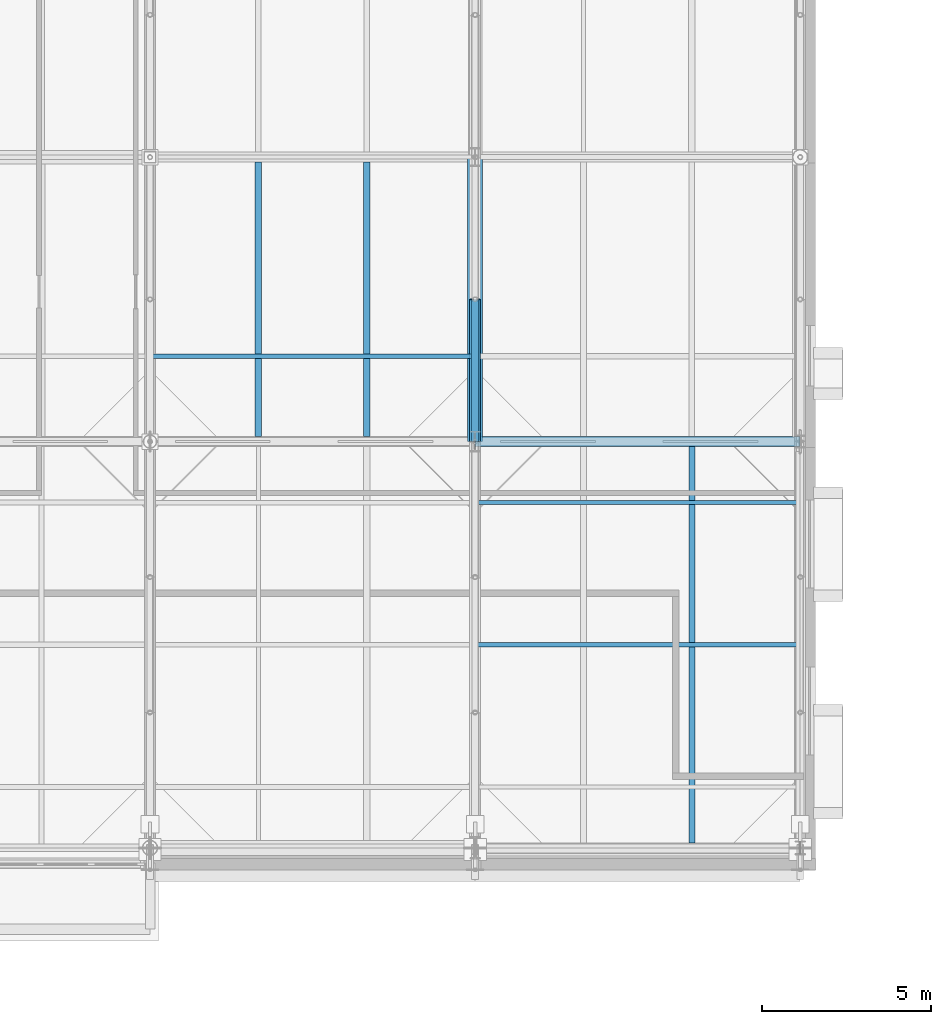
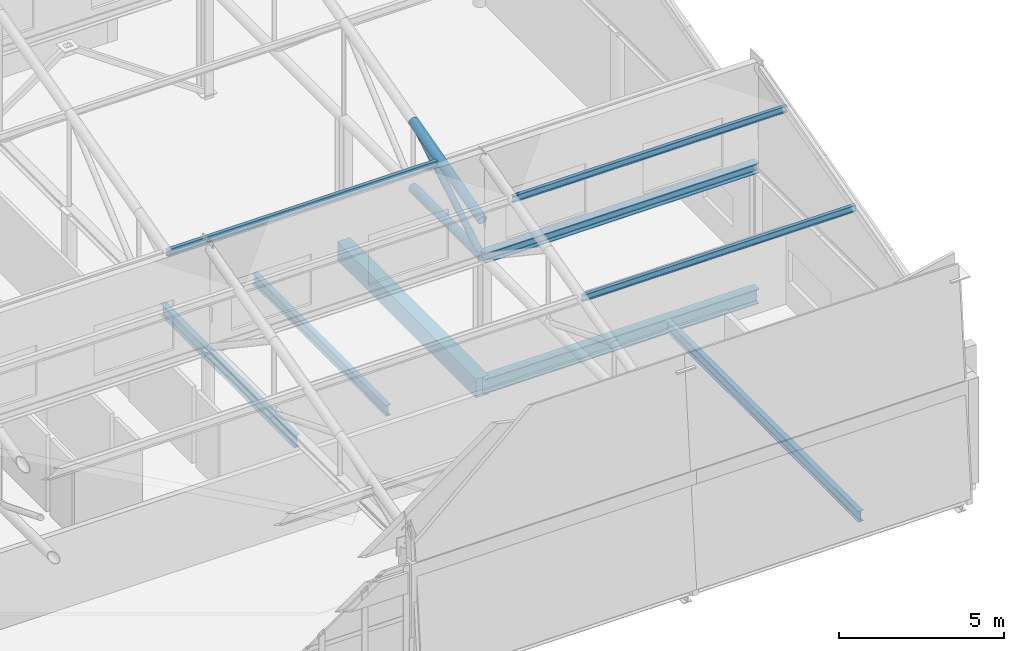
# One storey, part 47 of 89: 6 beams, 6 members.
"""IFC4 building model written with IfcOpenShell, lengths in metres."""

from ifc_helpers import new_model, si_unit, direction, frame, origin, origin_2d, place, context, subcontext, project, spatial, rectangle, hollow_circle, i_section, extrude, material, material_profile, profile_set, type_object, element, save


model = new_model("IFC4")

# Units and contexts
model_context = context("Model", 3, precision=1e-05, world=origin(), true_north=direction((0.0, 1.0)))
body_context = subcontext(model_context, "Body", "Model", "MODEL_VIEW")
ifc_project = project(units=[si_unit("LENGTHUNIT", "METRE"), si_unit("AREAUNIT", "SQUARE_METRE"), si_unit("VOLUMEUNIT", "CUBIC_METRE"), si_unit("PLANEANGLEUNIT", "RADIAN"), si_unit("MASSUNIT", "GRAM", prefix="KILO")], contexts=[model_context])

# Site, building, storey
site_placement = place(None, origin())
site = spatial("IfcSite", under=ifc_project, at=site_placement, CompositionType="ELEMENT")
building_placement = place(site_placement, origin())
building = spatial("IfcBuilding", under=site, at=building_placement, Name="Zereglee Splitstone Museum", CompositionType="ELEMENT")
storey_placement = place(building_placement, frame((0.0, 0.0, 21.300048828125)))
storey = spatial("IfcBuildingStorey", under=building, at=storey_placement, Name="L04", CompositionType="ELEMENT", Elevation=21.300048828125)

# Beam
ifc_material_1 = material(Name="Concrete C40/50", Category="concrete")
ifc_material_profile_1 = material_profile(ifc_material_1, rectangle(XDim=0.449951171875, YDim=0.699951171875, at=origin_2d()), Name="RC 450x700")
ifc_profile_set_1 = profile_set([ifc_material_profile_1], Name="Concrete C40/50")
beam_type_1 = type_object("IfcBeamType", Name="BG-03", PredefinedType="BEAM", material=ifc_profile_set_1)
beam_1_placement = place(storey_placement, frame((135.60009765625, 21.60009765625, -0.610107421875), z_axis=(0.0, 1.0, 0.0), x_axis=(-1.0, 0.0, 0.0)))
element("IfcBeam", 1, at=beam_1_placement, inside=storey, type_object=beam_type_1, Name="Primary Girder L04 16 (21.6-30.0)", PredefinedType="BEAM", context=body_context, shape_type="SweptSolid", body=[
    extrude(rectangle(XDim=0.449951171875, YDim=0.699951171875, at=origin_2d()), origin(), (0.0, 0.0, 1.0), 8.39990234375),
])

# Members
ifc_material_2 = material(Name="Steel S355J2H", Category="steel")
ifc_material_profile_2 = material_profile(ifc_material_2, hollow_circle(Radius=0.109619140625, WallThickness=0.010009765625, at=origin_2d()), Name="CHS 219.1x10")
ifc_profile_set_2 = profile_set([ifc_material_profile_2], Name="Steel S355J2H")
member_type_1 = type_object("IfcMemberType", Name="TB-03", PredefinedType="BRACE", material=ifc_profile_set_2)
member_1_placement = place(storey_placement, frame((135.60009765625, 21.60009765625, 4.199951171875), z_axis=(0.0, 0.861527117747, 0.50771155727), x_axis=(-1.0, 0.0, 0.0)))
element("IfcMember", 2, at=member_1_placement, inside=storey, type_object=member_type_1, Name="Roof Truss ST-07 Diagonal 2.1", PredefinedType="BRACE", context=body_context, shape_type="SweptSolid", body=[
    extrude(hollow_circle(Radius=0.109619140625, WallThickness=0.010009765625, at=origin_2d()), origin(), (0.0, 0.0, 1.0), 4.875),
])
ifc_material_profile_3 = material_profile(ifc_material_2, hollow_circle(Radius=0.161865234375, WallThickness=0.01611328125, at=origin_2d()), Name="CHS 323.9x16")
ifc_profile_set_3 = profile_set([ifc_material_profile_3], Name="Steel S355J2H")
member_type_2 = type_object("IfcMemberType", Name="TC-05", PredefinedType="CHORD", material=ifc_profile_set_3)
member_2_placement = place(storey_placement, frame((135.60009765625, 21.60009765625, 4.199951171875), z_axis=(0.0, 1.0, 0.0), x_axis=(-1.0, 0.0, 0.0)))
element("IfcMember", 3, at=member_2_placement, inside=storey, type_object=member_type_2, Name="Roof Truss ST-07 Bottom Chord 2.1", PredefinedType="CHORD", context=body_context, shape_type="SweptSolid", body=[
    extrude(hollow_circle(Radius=0.161865234375, WallThickness=0.01611328125, at=origin_2d()), origin(), (0.0, 0.0, 1.0), 4.199951171875),
])
member_3_placement = place(storey_placement, frame((135.60009765625, 21.60009765625, 5.550048828125), z_axis=(0.0, 0.965947299715, 0.258738891884), x_axis=(-1.0, 0.0, 0.0)))
element("IfcMember", 4, at=member_3_placement, inside=storey, type_object=member_type_2, Name="Roof Truss ST-07 Top Chord 2.1", PredefinedType="CHORD", context=body_context, shape_type="SweptSolid", body=[
    extrude(hollow_circle(Radius=0.161865234375, WallThickness=0.01611328125, at=origin_2d()), origin(), (0.0, 0.0, 1.0), 4.347900390625),
])

# Beams
ifc_material_3 = material(Name="Steel S355J2", Category="steel")
ifc_material_profile_4 = material_profile(ifc_material_3, i_section(OverallWidth=0.300048828125, OverallDepth=0.360107421875, WebThickness=0.012451171875, FlangeThickness=0.0224609375, FilletRadius=0.027099609375, at=origin_2d()), Name="HE 360 B")
ifc_profile_set_4 = profile_set([ifc_material_profile_4], Name="Steel S355J2")
beam_type_2 = type_object("IfcBeamType", Name="BG-14", PredefinedType="BEAM", material=ifc_profile_set_4)
beam_2_placement = place(storey_placement, frame((135.60009765625, 21.60009765625, 4.199951171875), z_axis=(1.0, 0.0, 0.0), x_axis=(0.0, 1.0, 0.0)))
element("IfcBeam", 5, at=beam_2_placement, inside=storey, type_object=beam_type_2, Name="Sawtooth Monitor Sill Beam B7-S1", PredefinedType="BEAM", context=body_context, shape_type="SweptSolid", body=[
    extrude(i_section(OverallWidth=0.300048828125, OverallDepth=0.360107421875, WebThickness=0.012451171875, FlangeThickness=0.0224609375, FilletRadius=0.027099609375, at=origin_2d()), origin(), (0.0, 0.0, 1.0), 9.599853515625),
])
ifc_material_profile_5 = material_profile(ifc_material_3, i_section(OverallWidth=0.300048828125, OverallDepth=0.550048828125, WebThickness=0.014892578125, FlangeThickness=0.029052734375, FilletRadius=0.027099609375, at=origin_2d()), Name="HE 550 B")
ifc_profile_set_5 = profile_set([ifc_material_profile_5], Name="Steel S355J2")
beam_type_3 = type_object("IfcBeamType", Name="BG-11", PredefinedType="BEAM", material=ifc_profile_set_5)
beam_3_placement = place(storey_placement, frame((135.60009765625, 21.60009765625, -0.53515625), z_axis=(1.0, 0.0, 0.0), x_axis=(0.0, 1.0, 0.0)))
element("IfcBeam", 6, at=beam_3_placement, inside=storey, type_object=beam_type_3, Name="Primary Girder L04 C (135.6-145.2)", PredefinedType="BEAM", context=body_context, shape_type="SweptSolid", body=[
    extrude(i_section(OverallWidth=0.300048828125, OverallDepth=0.550048828125, WebThickness=0.014892578125, FlangeThickness=0.029052734375, FilletRadius=0.027099609375, at=origin_2d()), origin(), (0.0, 0.0, 1.0), 9.599853515625),
])
ifc_material_profile_6 = material_profile(ifc_material_3, i_section(OverallWidth=0.179931640625, OverallDepth=0.39990234375, WebThickness=0.008544921875, FlangeThickness=0.013427734375, FilletRadius=0.02099609375, at=origin_2d()), Name="IPE 400")
ifc_profile_set_6 = profile_set([ifc_material_profile_6], Name="Steel S355J2")
beam_type_4 = type_object("IfcBeamType", Name="BJ-03", PredefinedType="JOIST", material=ifc_profile_set_6)
beam_4_placement = place(storey_placement, frame((142.0, 9.75, -0.4599609375), z_axis=(0.0, 1.0, 0.0), x_axis=(-1.0, 0.0, 0.0)))
element("IfcBeam", 7, at=beam_4_placement, inside=storey, type_object=beam_type_4, Name="Secondary Floor Joist L04-1521", PredefinedType="JOIST", context=body_context, shape_type="SweptSolid", body=[
    extrude(i_section(OverallWidth=0.179931640625, OverallDepth=0.39990234375, WebThickness=0.008544921875, FlangeThickness=0.013427734375, FilletRadius=0.02099609375, at=origin_2d()), origin(), (0.0, 0.0, 1.0), 11.699951171875),
])
beam_5_placement = place(storey_placement, frame((132.39990234375, 21.75, -0.4599609375), z_axis=(0.0, 1.0, 0.0), x_axis=(-1.0, 0.0, 0.0)))
element("IfcBeam", 8, at=beam_5_placement, inside=storey, type_object=beam_type_4, Name="Secondary Floor Joist L04-1535", PredefinedType="JOIST", context=body_context, shape_type="SweptSolid", body=[
    extrude(i_section(OverallWidth=0.179931640625, OverallDepth=0.39990234375, WebThickness=0.008544921875, FlangeThickness=0.013427734375, FilletRadius=0.02099609375, at=origin_2d()), origin(), (0.0, 0.0, 1.0), 8.10009765625),
])
ifc_material_profile_7 = material_profile(ifc_material_3, i_section(OverallWidth=0.18994140625, OverallDepth=0.449951171875, WebThickness=0.009521484375, FlangeThickness=0.0146484375, FilletRadius=0.02099609375, at=origin_2d()), Name="IPE 450")
ifc_profile_set_7 = profile_set([ifc_material_profile_7], Name="Steel S355J2")
beam_type_5 = type_object("IfcBeamType", Name="BJ-02", PredefinedType="JOIST", material=ifc_profile_set_7)
beam_6_placement = place(storey_placement, frame((129.199951171875, 21.75, -0.485107421875), z_axis=(0.0, 1.0, 0.0), x_axis=(-1.0, 0.0, 0.0)))
element("IfcBeam", 9, at=beam_6_placement, inside=storey, type_object=beam_type_5, Name="Secondary Floor Joist L04-1534", PredefinedType="JOIST", context=body_context, shape_type="SweptSolid", body=[
    extrude(i_section(OverallWidth=0.18994140625, OverallDepth=0.449951171875, WebThickness=0.009521484375, FlangeThickness=0.0146484375, FilletRadius=0.02099609375, at=origin_2d()), origin(), (0.0, 0.0, 1.0), 8.10009765625),
])

# Members
ifc_material_profile_8 = material_profile(ifc_material_3, i_section(OverallWidth=0.1201171875, OverallDepth=0.239990234375, WebThickness=0.006103515625, FlangeThickness=0.009765625, FilletRadius=0.014892578125, at=origin_2d()), Name="IPE 240")
ifc_profile_set_8 = profile_set([ifc_material_profile_8], Name="Steel S355J2")
member_type_3 = type_object("IfcMemberType", Name="PR-03", PredefinedType="PURLIN", material=ifc_profile_set_8)
member_4_placement = place(storey_placement, frame((126.0, 24.1201171875, 6.17919921875), z_axis=(1.0, 0.0, 0.0), x_axis=(0.0, 1.0, 0.0)))
element("IfcMember", 10, at=member_4_placement, inside=storey, type_object=member_type_3, Name="Sawtooth Roof Purlin B6-S2-1", PredefinedType="PURLIN", context=body_context, shape_type="SweptSolid", body=[
    extrude(i_section(OverallWidth=0.1201171875, OverallDepth=0.239990234375, WebThickness=0.006103515625, FlangeThickness=0.009765625, FilletRadius=0.014892578125, at=origin_2d()), origin(), (0.0, 0.0, 1.0), 9.60009765625),
])
for number, where, z_axis, x_axis, name in (
    (11, (135.60009765625, 15.60009765625, 6.30419921875), (1.0, 0.0, 0.0), (0.0, 1.0, 0.0), "Sawtooth Roof Purlin B7-S1-2"),
    (12, (135.60009765625, 19.800048828125, 7.424072265625), (1.0, 0.0, 0.0), (0.0, 1.0, 0.0), "Sawtooth Roof Purlin B7-S1-3"),
):
    element("IfcMember", number, at=place(storey_placement, frame(where, z_axis=z_axis, x_axis=x_axis)), inside=storey, type_object=member_type_3, Name=name, PredefinedType="PURLIN", context=body_context, shape_type="SweptSolid", body=[
        extrude(i_section(OverallWidth=0.1201171875, OverallDepth=0.239990234375, WebThickness=0.006103515625, FlangeThickness=0.009765625, FilletRadius=0.014892578125, at=origin_2d()), origin(), (0.0, 0.0, 1.0), 9.599853515625),
    ])

save(model, "model.ifc")
